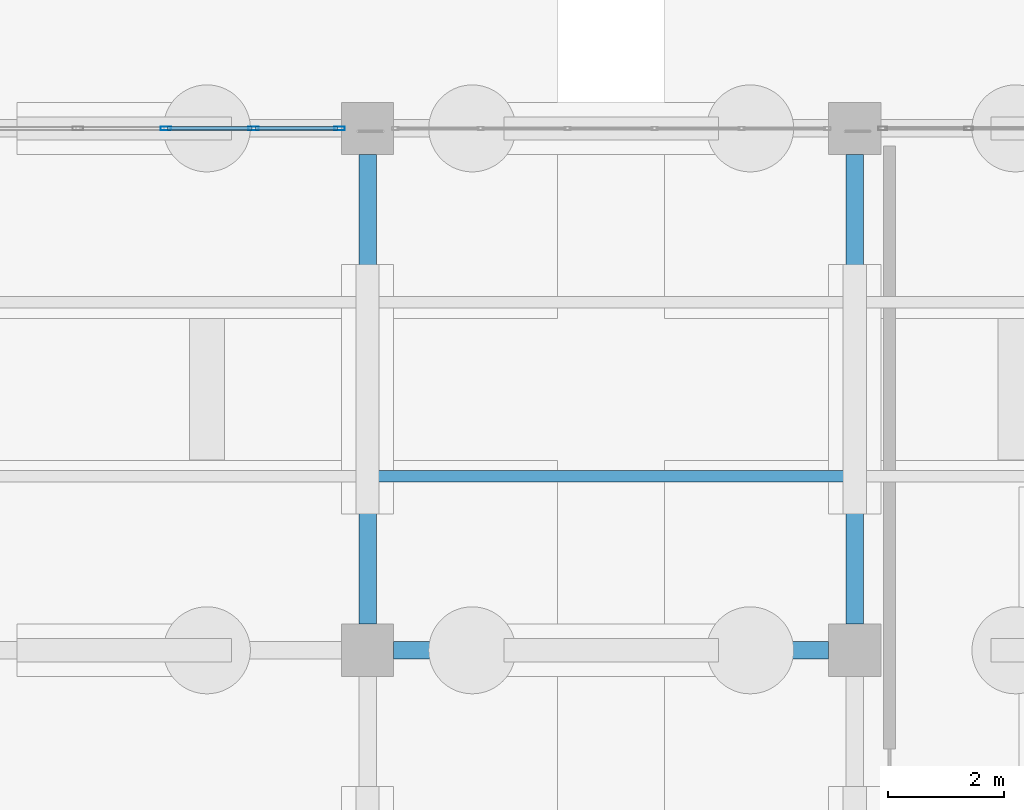
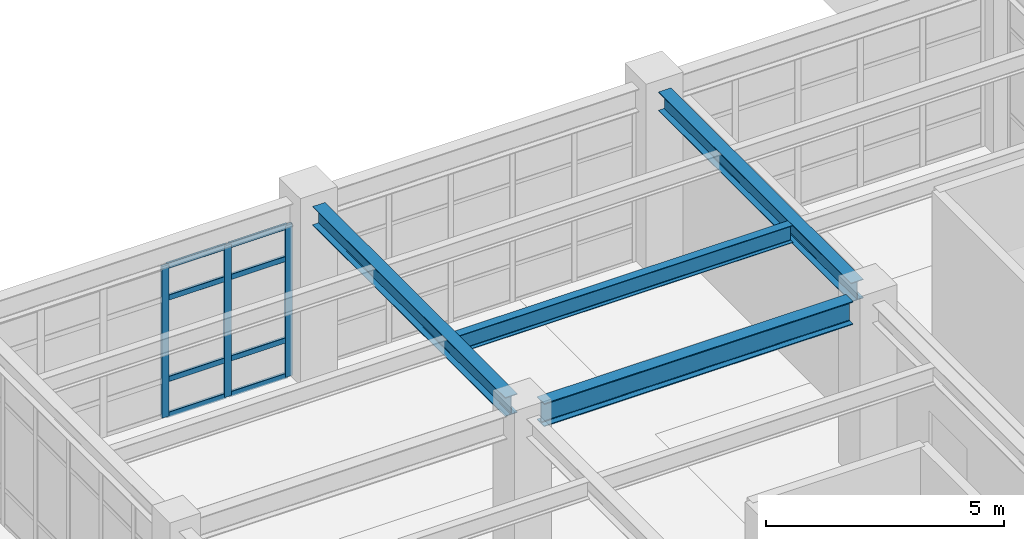
# One storey, part 76 of 139: 11 members, 4 beams, 1 element without a shape of its own.
"""IFC4 building model written with IfcOpenShell, lengths in metres."""

import ifcopenshell
import ifcopenshell.guid

model = None  # the IFC model being written
_history = None  # IfcOwnerHistory: only IFC2X3 demands one
_inside = {}  # id of a spatial element -> (the spatial element, [elements in it])
_under = {}  # id of a project, library or spatial element -> (it, [spatial elements below it])
_declared = {}  # id of a project -> (the project, [libraries it declares])
_typed = {}  # id of a type object -> (the type object, [elements of that type])
_made_of = {}  # id of a material, layer set ... -> (it, [elements and type objects made of it])


def new_model(schema):
    """Start an empty IFC model of exactly this schema.

    Asked for "IFC4X3", IfcOpenShell would pick the latest addendum, in which some entities
    have other attributes; the version numbers below select the first issue.
    IFC2X3 requires an IfcOwnerHistory on every rooted entity: one is made here for all.
    """
    global model, _history
    if schema == "IFC4X3":
        model = ifcopenshell.file(schema_version=(4, 3, 0, 0))
    else:
        model = ifcopenshell.file(schema=schema)
    _inside.clear()
    _under.clear()
    _declared.clear()
    _typed.clear()
    _made_of.clear()
    _history = None
    if model.schema == "IFC2X3":
        org = make("IfcOrganization", Name="unknown")
        user = make(
            "IfcPersonAndOrganization",
            ThePerson=make("IfcPerson", FamilyName="unknown"),
            TheOrganization=org,
        )
        app = make(
            "IfcApplication",
            ApplicationDeveloper=org,
            Version="unknown",
            ApplicationFullName="unknown",
            ApplicationIdentifier="unknown",
        )
        _history = make(
            "IfcOwnerHistory",
            OwningUser=user,
            OwningApplication=app,
            ChangeAction="ADDED",
            CreationDate=0,
        )
    return model


def make(cls, **values):
    """One entity of the class cls with the attributes given. An attribute that is None is left unset."""
    return model.create_entity(
        cls, **{name: value for name, value in values.items() if value is not None}
    )


def rooted(cls, **values):
    """An entity with a GlobalId (a new one), such as an element, a storey or a relation."""
    return make(cls, GlobalId=ifcopenshell.guid.new(), OwnerHistory=_history, **values)


def si_unit(unit_type, name, prefix=None):
    """IfcSIUnit, for example si_unit("LENGTHUNIT", "METRE", prefix="MILLI")."""
    return make("IfcSIUnit", UnitType=unit_type, Prefix=prefix, Name=name)


def assignment(units):
    """IfcUnitAssignment: the units of a project."""
    return None if units is None else make("IfcUnitAssignment", Units=units)


def point(xyz):
    """IfcCartesianPoint."""
    return None if xyz is None else make("IfcCartesianPoint", Coordinates=xyz)


def direction(xyz):
    """IfcDirection."""
    return None if xyz is None else make("IfcDirection", DirectionRatios=xyz)


def frame(location, z_axis=None, x_axis=None):
    """IfcAxis2Placement3D, a coordinate frame: its origin and axes. An axis left out is left unset."""
    return make(
        "IfcAxis2Placement3D",
        Location=point(location),
        Axis=direction(z_axis),
        RefDirection=direction(x_axis),
    )


def frame_2d(location, x_axis=None):
    """IfcAxis2Placement2D, a coordinate frame in the plane: its origin and x axis."""
    return make(
        "IfcAxis2Placement2D", Location=point(location), RefDirection=direction(x_axis)
    )


def origin():
    """The frame at (0, 0, 0) with its axes left unset."""
    return frame((0.0, 0.0, 0.0))


def origin_2d():
    """The frame at (0, 0) in the plane with its x axis left unset."""
    return frame_2d((0.0, 0.0))


def place(relative_to, where):
    """IfcLocalPlacement: puts the frame where relative to a parent placement (None: the world)."""
    return make(
        "IfcLocalPlacement", PlacementRelTo=relative_to, RelativePlacement=where
    )


def context(
    kind, dimensions, precision=None, world=None, true_north=None, identifier=None
):
    """IfcGeometricRepresentationContext, for example the 3D "Model" context."""
    return make(
        "IfcGeometricRepresentationContext",
        ContextIdentifier=identifier,
        ContextType=kind,
        CoordinateSpaceDimension=dimensions,
        Precision=precision,
        WorldCoordinateSystem=world,
        TrueNorth=true_north,
    )


def subcontext(parent, identifier, kind, view, scale=None):
    """IfcGeometricRepresentationSubContext, for example "Body" below "Model"."""
    return make(
        "IfcGeometricRepresentationSubContext",
        ContextIdentifier=identifier,
        ContextType=kind,
        ParentContext=parent,
        TargetScale=scale,
        TargetView=view,
    )


def project(units=None, contexts=None):
    """IfcProject with its units and contexts."""
    return rooted(
        "IfcProject",
        Name="project",
        RepresentationContexts=contexts,
        UnitsInContext=assignment(units),
    )


def spatial(cls, under=None, at=None, **own):
    """A site, building, storey or space (cls), placed at a placement, below another one or the project."""
    s = rooted(cls, ObjectPlacement=at, **own)
    if under is not None:
        _under.setdefault(under.id(), (under, []))[1].append(s)
    return s


def profile(cls, at=None, kind="AREA", **sizes):
    """A parametric profile (cls). Its sizes go by their IFC names, for example OverallWidth=200.0."""
    return make(cls, ProfileType=kind, Position=at, **sizes)


def hollow_rectangle(**sizes):
    """IfcRectangleHollowProfileDef."""
    return profile("IfcRectangleHollowProfileDef", **sizes)


def i_section(**sizes):
    """IfcIShapeProfileDef."""
    return profile("IfcIShapeProfileDef", **sizes)


def extrude(swept, where, along, depth):
    """IfcExtrudedAreaSolid: the profile swept, set in the frame where, extruded along a direction by depth."""
    return make(
        "IfcExtrudedAreaSolid",
        SweptArea=swept,
        Position=where,
        ExtrudedDirection=direction(along),
        Depth=depth,
    )


def shape(context_of_items, identifier, shape_type, items):
    """IfcShapeRepresentation: the items that make up one representation, for example the "Body"."""
    return make(
        "IfcShapeRepresentation",
        ContextOfItems=context_of_items,
        RepresentationIdentifier=identifier,
        RepresentationType=shape_type,
        Items=items,
    )


def material(Name=None, Category=None):
    """IfcMaterial."""
    return make("IfcMaterial", Name=Name, Category=Category)


def material_profile(
    of_material, cross_section, Name=None, Category=None, Priority=None
):
    """IfcMaterialProfile: a cross section and its material."""
    return make(
        "IfcMaterialProfile",
        Name=Name,
        Material=of_material,
        Profile=cross_section,
        Priority=Priority,
        Category=Category,
    )


def profile_set(profiles, Name=None, composite=None):
    """IfcMaterialProfileSet."""
    return make(
        "IfcMaterialProfileSet",
        Name=Name,
        MaterialProfiles=profiles,
        CompositeProfile=composite,
    )


def made_of(thing, what):
    """Note that an element or type object is made of a material, layer set ...; save() writes the relation."""
    if what is not None:
        _made_of.setdefault(what.id(), (what, []))[1].append(thing)
    return thing


def type_object(cls, material=None, **own):
    """A type object (cls), such as IfcWallType, which elements share."""
    return made_of(rooted(cls, **own), material)


def element(
    cls,
    number,
    at=None,
    inside=None,
    cuts=None,
    type_object=None,
    material=None,
    context=None,
    identifier="Body",
    shape_type=None,
    held_by="IfcProductDefinitionShape",
    body=None,
    shapes=None,
    **own,
):
    """One element of the class cls, such as IfcWall. Its Tag is "e" and its number.

    at: its placement. inside: the storey or other place that contains it. cuts: it is an
    opening in that element (IfcRelVoidsElement). A single representation is given by context,
    identifier, shape_type and body (its items); several are given by shapes. held_by: the class
    of the entity that holds the representations. save() writes the other relations.
    """
    e = rooted(cls, Tag="e%d" % number, ObjectPlacement=at, **own)
    if body is not None:
        shapes = [shape(context, identifier, shape_type, body)]
    if shapes is not None:
        e.Representation = make(held_by, Representations=shapes)
    if inside is not None:
        _inside.setdefault(inside.id(), (inside, []))[1].append(e)
    if cuts is not None:
        rooted(
            "IfcRelVoidsElement", RelatingBuildingElement=cuts, RelatedOpeningElement=e
        )
    if type_object is not None:
        _typed.setdefault(type_object.id(), (type_object, []))[1].append(e)
    return made_of(e, material)


def aggregate(whole, parts):
    """IfcRelAggregates: a whole, such as a stair, and the parts it consists of."""
    return rooted("IfcRelAggregates", RelatingObject=whole, RelatedObjects=parts)


def save(model, path):
    """Write the relations noted so far, then the file.

    IfcRelAggregates (storeys below a building ...), IfcRelContainedInSpatialStructure (elements
    in a storey), IfcRelDefinesByType, IfcRelAssociatesMaterial and IfcRelDeclares: one each for
    every whole, place, type object, material and project.
    """
    for whole, parts in _under.values():
        aggregate(whole, parts)
    for where, things in _inside.values():
        rooted(
            "IfcRelContainedInSpatialStructure",
            RelatedElements=things,
            RelatingStructure=where,
        )
    for kind, things in _typed.values():
        rooted("IfcRelDefinesByType", RelatedObjects=things, RelatingType=kind)
    for what, things in _made_of.values():
        rooted("IfcRelAssociatesMaterial", RelatedObjects=things, RelatingMaterial=what)
    for by, libraries in _declared.values():
        rooted("IfcRelDeclares", RelatingContext=by, RelatedDefinitions=libraries)
    model.write(path)


model = new_model("IFC4")

# Units and contexts
model_context = context("Model", 3, precision=1e-05, world=origin(), true_north=direction((0.0, 1.0)))
body_context = subcontext(model_context, "Body", "Model", "MODEL_VIEW")
ifc_project = project(units=[si_unit("LENGTHUNIT", "METRE"), si_unit("AREAUNIT", "SQUARE_METRE"), si_unit("VOLUMEUNIT", "CUBIC_METRE"), si_unit("PLANEANGLEUNIT", "RADIAN"), si_unit("MASSUNIT", "GRAM", prefix="KILO")], contexts=[model_context])

# Site, building, storey
site_placement = place(None, origin())
site = spatial("IfcSite", under=ifc_project, at=site_placement, CompositionType="ELEMENT")
building_placement = place(site_placement, origin())
building = spatial("IfcBuilding", under=site, at=building_placement, Name="Canglan Escarpment Cableway Terminal", CompositionType="ELEMENT")
storey_placement = place(building_placement, frame((0.0, 0.0, 14.39990234375)))
storey = spatial("IfcBuildingStorey", under=building, at=storey_placement, Name="L03", CompositionType="ELEMENT", Elevation=14.39990234375)

# Beams
ifc_material_1 = material(Name="Steel Q355B", Category="steel")
ifc_material_profile_1 = material_profile(ifc_material_1, i_section(OverallWidth=0.300048828125, OverallDepth=0.488037109375, WebThickness=0.010986328125, FlangeThickness=0.01806640625, FilletRadius=0.02587890625, at=origin_2d()), Name="HM 488x300x11x18")
ifc_profile_set_1 = profile_set([ifc_material_profile_1], Name="Steel Q355B")
beam_type_1 = type_object("IfcBeamType", Name="BM-HM488", PredefinedType="BEAM", material=ifc_profile_set_1)
for number, where, z_axis, x_axis, name in (
    (1, (119.89990234375, 106.449951171875, 4.256103515625), (0.0, 1.0, 0.0), (-1.0, 0.0, 0.0), "Primary transverse girder B-09"),
    (2, (128.300048828125, 106.449951171875, 4.256103515625), (0.0, 1.0, 0.0), (-1.0, 0.0, 0.0), "Primary transverse girder B-09"),
):
    element("IfcBeam", number, at=place(storey_placement, frame(where, z_axis=z_axis, x_axis=x_axis)), inside=storey, type_object=beam_type_1, Name=name, PredefinedType="BEAM", context=body_context, shape_type="SweptSolid", body=[
        extrude(i_section(OverallWidth=0.300048828125, OverallDepth=0.488037109375, WebThickness=0.010986328125, FlangeThickness=0.01806640625, FilletRadius=0.02587890625, at=origin_2d()), origin(), (0.0, 0.0, 1.0), 8.10009765625),
    ])
ifc_material_2 = material(Name="Steel Q355C", Category="steel")
ifc_material_profile_2 = material_profile(ifc_material_2, i_section(OverallWidth=0.302001953125, OverallDepth=0.593994140625, WebThickness=0.013916015625, FlangeThickness=0.02294921875, FilletRadius=0.028076171875, at=origin_2d()), Name="HM 594x302x14x23")
ifc_profile_set_2 = profile_set([ifc_material_profile_2], Name="Steel Q355C")
beam_type_2 = type_object("IfcBeamType", Name="BM-HM594", PredefinedType="BEAM", material=ifc_profile_set_2)
beam_1_placement = place(storey_placement, frame((120.35009765625, 106.0, 4.203125), z_axis=(1.0, 0.0, 0.0), x_axis=(0.0, 1.0, 0.0)))
element("IfcBeam", 3, at=beam_1_placement, inside=storey, type_object=beam_type_2, Name="Primary structural girder B-07", PredefinedType="BEAM", context=body_context, shape_type="SweptSolid", body=[
    extrude(i_section(OverallWidth=0.302001953125, OverallDepth=0.593994140625, WebThickness=0.013916015625, FlangeThickness=0.02294921875, FilletRadius=0.028076171875, at=origin_2d()), origin(), (0.0, 0.0, 1.0), 7.5),
])

# Curtain wall, members
ifc_material_3 = material(Name="Anodized bronze aluminium and Low-E double glazing", Category="aluminium")
curtain_wall_type = type_object("IfcCurtainWallType", Name="CW-BAY-7575x3900", PredefinedType="NOTDEFINED", material=ifc_material_3)
curtain_wall_placement = place(storey_placement, origin())
curtain_wall = element("IfcCurtainWall", 4, at=curtain_wall_placement, inside=storey, type_object=curtain_wall_type, Name="Classical bay-between-piers glazed curtain wall CW-49", PredefinedType="NOTDEFINED")
ifc_material_4 = material(Name="Thermally broken anodized aluminium 6063-T6", Category="aluminium")
ifc_material_profile_3 = material_profile(ifc_material_4, hollow_rectangle(XDim=0.06494140625, YDim=0.179931640625, WallThickness=0.00390625, InnerFilletRadius=0.00390625, OuterFilletRadius=0.008056640625, at=origin_2d()), Name="ALU-MULL 65x180x4")
ifc_profile_set_3 = profile_set([ifc_material_profile_3], Name="Thermally broken anodized aluminium 6063-T6")
member_type_1 = type_object("IfcMemberType", Name="CWM-03", PredefinedType="MULLION", material=ifc_profile_set_3)
member_1_placement = place(storey_placement, frame((119.41748046875, 115.0, 0.0), z_axis=(0.0, 0.0, 1.0), x_axis=(0.0, -1.0, 0.0)))
member_1 = element("IfcMember", 5, at=member_1_placement, type_object=member_type_1, Name="CW-49 mullion 1", PredefinedType="MULLION", context=body_context, shape_type="SweptSolid", body=[
    extrude(hollow_rectangle(XDim=0.06494140625, YDim=0.179931640625, WallThickness=0.00390625, InnerFilletRadius=0.00390625, OuterFilletRadius=0.008056640625, at=origin_2d()), origin(), (0.0, 0.0, 1.0), 3.89111328125),
])
member_2_placement = place(storey_placement, frame((117.93505859375, 115.0, 0.0), z_axis=(0.0, 0.0, 1.0), x_axis=(0.0, -1.0, 0.0)))
member_2 = element("IfcMember", 6, at=member_2_placement, type_object=member_type_1, Name="CW-49 mullion 2", PredefinedType="MULLION", context=body_context, shape_type="SweptSolid", body=[
    extrude(hollow_rectangle(XDim=0.06494140625, YDim=0.179931640625, WallThickness=0.00390625, InnerFilletRadius=0.00390625, OuterFilletRadius=0.008056640625, at=origin_2d()), origin(), (0.0, 0.0, 1.0), 3.89111328125),
])
member_3_placement = place(storey_placement, frame((116.419921875, 115.0, 0.0), z_axis=(0.0, 0.0, 1.0), x_axis=(0.0, -1.0, 0.0)))
member_3 = element("IfcMember", 7, at=member_3_placement, type_object=member_type_1, Name="CW-49 mullion 3", PredefinedType="MULLION", context=body_context, shape_type="SweptSolid", body=[
    extrude(hollow_rectangle(XDim=0.06494140625, YDim=0.179931640625, WallThickness=0.00390625, InnerFilletRadius=0.00390625, OuterFilletRadius=0.008056640625, at=origin_2d()), origin(), (0.0, 0.0, 1.0), 3.89111328125),
])
ifc_material_profile_4 = material_profile(ifc_material_4, hollow_rectangle(XDim=0.06494140625, YDim=0.139892578125, WallThickness=0.00341796875, InnerFilletRadius=0.00341796875, OuterFilletRadius=0.007080078125, at=origin_2d()), Name="ALU-TRAN 65x140x3.5")
ifc_profile_set_4 = profile_set([ifc_material_profile_4], Name="Thermally broken anodized aluminium 6063-T6")
member_type_2 = type_object("IfcMemberType", Name="CWT-03", PredefinedType="USERDEFINED", material=ifc_profile_set_4)
member_4_placement = place(storey_placement, frame((119.385009765625, 115.0, 0.03271484375), z_axis=(-1.0, 0.0, 0.0), x_axis=(0.0, -1.0, 0.0)))
member_4 = element("IfcMember", 8, at=member_4_placement, type_object=member_type_2, Name="CW-49 transom 1.1", ObjectType="TRANSOM", PredefinedType="USERDEFINED", context=body_context, shape_type="SweptSolid", body=[
    extrude(hollow_rectangle(XDim=0.06494140625, YDim=0.139892578125, WallThickness=0.00341796875, InnerFilletRadius=0.00341796875, OuterFilletRadius=0.007080078125, at=origin_2d()), origin(), (0.0, 0.0, 1.0), 1.41748046875),
])
member_5_placement = place(storey_placement, frame((119.385009765625, 115.0, 0.9501953125), z_axis=(-1.0, 0.0, 0.0), x_axis=(0.0, -1.0, 0.0)))
member_5 = element("IfcMember", 9, at=member_5_placement, type_object=member_type_2, Name="CW-49 transom 1.2", ObjectType="TRANSOM", PredefinedType="USERDEFINED", context=body_context, shape_type="SweptSolid", body=[
    extrude(hollow_rectangle(XDim=0.06494140625, YDim=0.139892578125, WallThickness=0.00341796875, InnerFilletRadius=0.00341796875, OuterFilletRadius=0.007080078125, at=origin_2d()), origin(), (0.0, 0.0, 1.0), 1.41748046875),
])
member_6_placement = place(storey_placement, frame((119.385009765625, 115.0, 3.041015625), z_axis=(-1.0, 0.0, 0.0), x_axis=(0.0, -1.0, 0.0)))
member_6 = element("IfcMember", 10, at=member_6_placement, type_object=member_type_2, Name="CW-49 transom 1.3", ObjectType="TRANSOM", PredefinedType="USERDEFINED", context=body_context, shape_type="SweptSolid", body=[
    extrude(hollow_rectangle(XDim=0.06494140625, YDim=0.139892578125, WallThickness=0.00341796875, InnerFilletRadius=0.00341796875, OuterFilletRadius=0.007080078125, at=origin_2d()), origin(), (0.0, 0.0, 1.0), 1.41748046875),
])
member_7_placement = place(storey_placement, frame((119.385009765625, 115.0, 3.858642578125), z_axis=(-1.0, 0.0, 0.0), x_axis=(0.0, -1.0, 0.0)))
member_7 = element("IfcMember", 11, at=member_7_placement, type_object=member_type_2, Name="CW-49 transom 1.4", ObjectType="TRANSOM", PredefinedType="USERDEFINED", context=body_context, shape_type="SweptSolid", body=[
    extrude(hollow_rectangle(XDim=0.06494140625, YDim=0.139892578125, WallThickness=0.00341796875, InnerFilletRadius=0.00341796875, OuterFilletRadius=0.007080078125, at=origin_2d()), origin(), (0.0, 0.0, 1.0), 1.41748046875),
])
member_8_placement = place(storey_placement, frame((117.902587890625, 115.0, 0.03271484375), z_axis=(-1.0, 0.0, 0.0), x_axis=(0.0, -1.0, 0.0)))
member_8 = element("IfcMember", 12, at=member_8_placement, type_object=member_type_2, Name="CW-49 transom 2.1", ObjectType="TRANSOM", PredefinedType="USERDEFINED", context=body_context, shape_type="SweptSolid", body=[
    extrude(hollow_rectangle(XDim=0.06494140625, YDim=0.139892578125, WallThickness=0.00341796875, InnerFilletRadius=0.00341796875, OuterFilletRadius=0.007080078125, at=origin_2d()), origin(), (0.0, 0.0, 1.0), 1.4501953125),
])
member_9_placement = place(storey_placement, frame((117.902587890625, 115.0, 0.9501953125), z_axis=(-1.0, 0.0, 0.0), x_axis=(0.0, -1.0, 0.0)))
member_9 = element("IfcMember", 13, at=member_9_placement, type_object=member_type_2, Name="CW-49 transom 2.2", ObjectType="TRANSOM", PredefinedType="USERDEFINED", context=body_context, shape_type="SweptSolid", body=[
    extrude(hollow_rectangle(XDim=0.06494140625, YDim=0.139892578125, WallThickness=0.00341796875, InnerFilletRadius=0.00341796875, OuterFilletRadius=0.007080078125, at=origin_2d()), origin(), (0.0, 0.0, 1.0), 1.4501953125),
])
member_10_placement = place(storey_placement, frame((117.902587890625, 115.0, 3.041015625), z_axis=(-1.0, 0.0, 0.0), x_axis=(0.0, -1.0, 0.0)))
member_10 = element("IfcMember", 14, at=member_10_placement, type_object=member_type_2, Name="CW-49 transom 2.3", ObjectType="TRANSOM", PredefinedType="USERDEFINED", context=body_context, shape_type="SweptSolid", body=[
    extrude(hollow_rectangle(XDim=0.06494140625, YDim=0.139892578125, WallThickness=0.00341796875, InnerFilletRadius=0.00341796875, OuterFilletRadius=0.007080078125, at=origin_2d()), origin(), (0.0, 0.0, 1.0), 1.4501953125),
])
member_11_placement = place(storey_placement, frame((117.902587890625, 115.0, 3.858642578125), z_axis=(-1.0, 0.0, 0.0), x_axis=(0.0, -1.0, 0.0)))
member_11 = element("IfcMember", 15, at=member_11_placement, type_object=member_type_2, Name="CW-49 transom 2.4", ObjectType="TRANSOM", PredefinedType="USERDEFINED", context=body_context, shape_type="SweptSolid", body=[
    extrude(hollow_rectangle(XDim=0.06494140625, YDim=0.139892578125, WallThickness=0.00341796875, InnerFilletRadius=0.00341796875, OuterFilletRadius=0.007080078125, at=origin_2d()), origin(), (0.0, 0.0, 1.0), 1.4501953125),
])
aggregate(curtain_wall, [member_1, member_2, member_3, member_4, member_5, member_6, member_7, member_8, member_9, member_10, member_11])

# Beam
ifc_material_profile_5 = material_profile(ifc_material_1, i_section(OverallWidth=0.199951171875, OverallDepth=0.449951171875, WebThickness=0.009033203125, FlangeThickness=0.013916015625, FilletRadius=0.01806640625, at=origin_2d()), Name="HN 450x200x9x14")
ifc_profile_set_5 = profile_set([ifc_material_profile_5], Name="Steel Q355B")
beam_type_3 = type_object("IfcBeamType", Name="JS-HN450", PredefinedType="JOIST", material=ifc_profile_set_5)
beam_2_placement = place(storey_placement, frame((120.050048828125, 109.0, 4.275146484375), z_axis=(1.0, 0.0, 0.0), x_axis=(0.0, 1.0, 0.0)))
element("IfcBeam", 16, at=beam_2_placement, inside=storey, type_object=beam_type_3, Name="Secondary composite deck joist J-02", PredefinedType="JOIST", context=body_context, shape_type="SweptSolid", body=[
    extrude(i_section(OverallWidth=0.199951171875, OverallDepth=0.449951171875, WebThickness=0.009033203125, FlangeThickness=0.013916015625, FilletRadius=0.01806640625, at=origin_2d()), origin(), (0.0, 0.0, 1.0), 8.099853515625),
])

save(model, "model.ifc")
